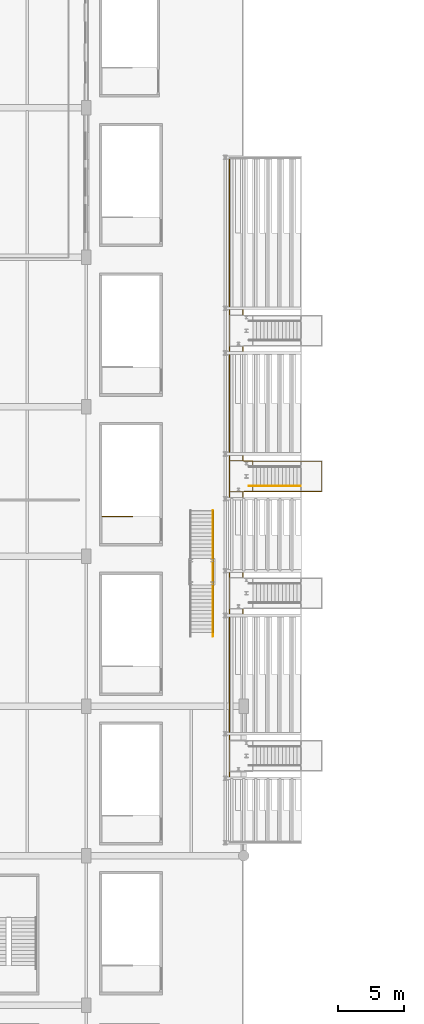
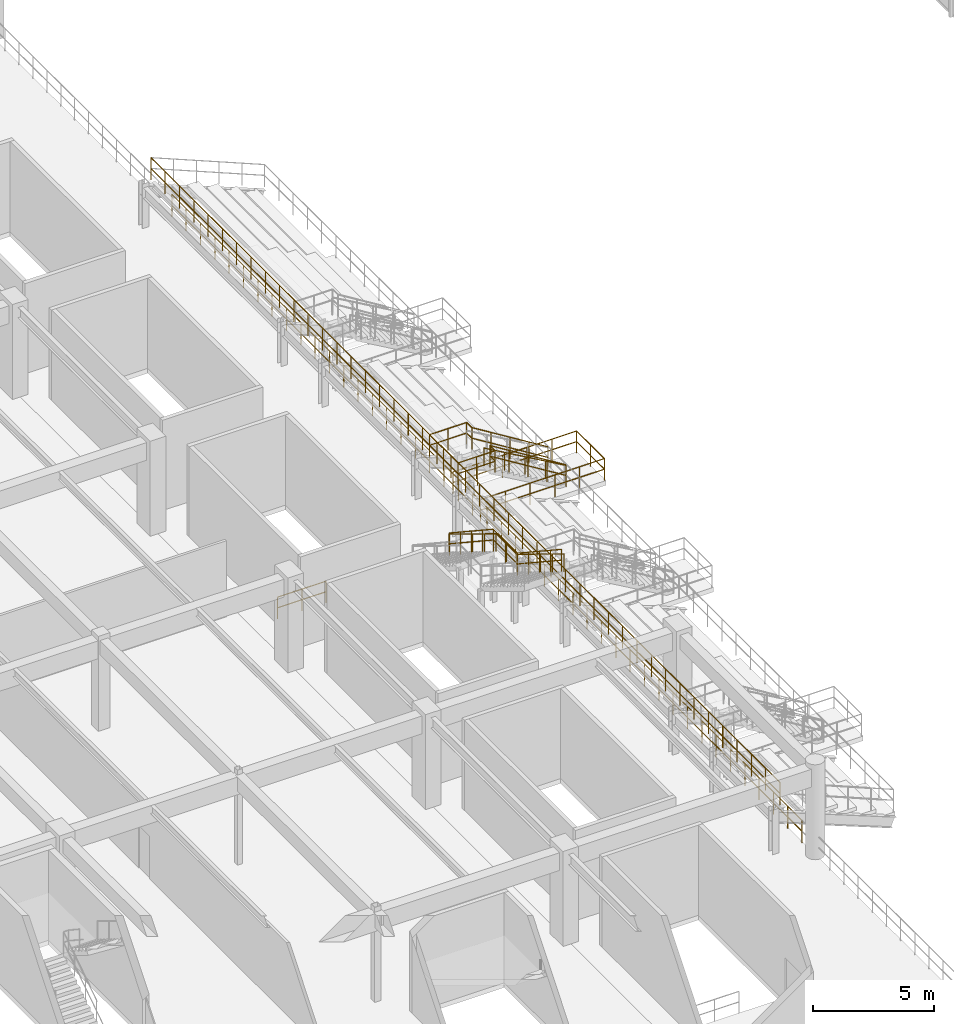
# One storey, part 103 of 106: 8 railings.
"""IFC4 building model written with IfcOpenShell, lengths in metres."""

from ifc_helpers import new_model, si_unit, direction, frame, origin, origin_2d, place, context, subcontext, project, spatial, circle, extrude, material, layer, layer_set, type_object, element, save


model = new_model("IFC4")

# Units and contexts
model_context = context("Model", 3, precision=1e-05, world=origin(), true_north=direction((0.0, 1.0)))
body_context = subcontext(model_context, "Body", "Model", "MODEL_VIEW")
ifc_project = project(units=[si_unit("LENGTHUNIT", "METRE"), si_unit("AREAUNIT", "SQUARE_METRE"), si_unit("VOLUMEUNIT", "CUBIC_METRE"), si_unit("PLANEANGLEUNIT", "RADIAN"), si_unit("MASSUNIT", "GRAM", prefix="KILO"), si_unit("POWERUNIT", "WATT"), si_unit("THERMODYNAMICTEMPERATUREUNIT", "KELVIN")], contexts=[model_context])

# Site, building, storey
site_placement = place(None, origin())
site = spatial("IfcSite", under=ifc_project, at=site_placement, CompositionType="ELEMENT")
building_placement = place(site_placement, origin())
building = spatial("IfcBuilding", under=site, at=building_placement, Name="Kelmbourne Parkland Aquatics Centre", CompositionType="ELEMENT")
storey_placement = place(building_placement, frame((0.0, 0.0, 5.39990234375)))
storey = spatial("IfcBuildingStorey", under=building, at=storey_placement, Name="L01", CompositionType="ELEMENT", Elevation=5.39990234375)

# Railings
ifc_material_1 = material(Name="Grade 316 stainless steel and laminated glass balustrade", Category="glass")
ifc_layer = layer(ifc_material_1, 0.06005859375)
ifc_layer_set = layer_set([ifc_layer], Name="Grade 316 stainless steel and laminated glass balustrade")
railing_type_1 = type_object("IfcRailingType", Name="RL-BL-114", PredefinedType="BALUSTRADE", material=ifc_layer_set)
railing_1_placement = place(storey_placement, frame((137.679931640625, 61.280029296875, 0.0)))
element("IfcRailing", 1, at=railing_1_placement, inside=storey, type_object=railing_type_1, Name="FS02 east balustrade", PredefinedType="BALUSTRADE", context=body_context, shape_type="SweptSolid", body=[
    extrude(circle(Radius=0.02392578125, at=origin_2d()), frame((0.0, 0.0, 1.11572265625), z_axis=(0.0, -0.834856447115, 0.55046772177), x_axis=(1.0, 0.0, 0.0)), (0.0, 0.0, 1.0), 4.360107421875),
    extrude(circle(Radius=0.02392578125, at=origin_2d()), frame((0.0, 0.0, 0.56982421875), z_axis=(0.0, -0.834856447115, 0.55046772177), x_axis=(1.0, 0.0, 0.0)), (0.0, 0.0, 1.0), 4.360107421875),
    extrude(circle(Radius=0.02392578125, at=origin_2d()), frame((0.0, -3.64013671875, 3.51611328125), z_axis=(0.0, -1.0, 0.0), x_axis=(1.0, 0.0, 0.0)), (0.0, 0.0, 1.0), 2.0),
    extrude(circle(Radius=0.02392578125, at=origin_2d()), frame((0.0, -3.64013671875, 2.97021484375), z_axis=(0.0, -1.0, 0.0), x_axis=(1.0, 0.0, 0.0)), (0.0, 0.0, 1.0), 2.0),
    extrude(circle(Radius=0.02392578125, at=origin_2d()), frame((0.0, -5.64013671875, 3.51611328125), z_axis=(0.0, -0.834865213223, 0.550454426587), x_axis=(1.0, 0.0, 0.0)), (0.0, 0.0, 1.0), 4.35986328125),
    extrude(circle(Radius=0.02392578125, at=origin_2d()), frame((0.0, -5.64013671875, 2.97021484375), z_axis=(0.0, -0.834865213223, 0.550454426587), x_axis=(1.0, 0.0, 0.0)), (0.0, 0.0, 1.0), 4.35986328125),
    extrude(circle(Radius=0.02099609375, at=origin_2d()), origin(), (0.0, 0.0, 1.0), 1.091796875),
    extrude(circle(Radius=0.02099609375, at=origin_2d()), frame((0.0, -0.91015625, 0.60009765625)), (0.0, 0.0, 1.0), 1.091796875),
    extrude(circle(Radius=0.02099609375, at=origin_2d()), frame((0.0, -1.820068359375, 1.2001953125)), (0.0, 0.0, 1.0), 1.091796875),
    extrude(circle(Radius=0.02099609375, at=origin_2d()), frame((0.0, -2.72998046875, 1.800048828125)), (0.0, 0.0, 1.0), 1.091796875),
    extrude(circle(Radius=0.02099609375, at=origin_2d()), frame((0.0, -3.64013671875, 2.400146484375)), (0.0, 0.0, 1.0), 1.091796875),
    extrude(circle(Radius=0.02099609375, at=origin_2d()), frame((0.0, -4.64013671875, 2.400146484375)), (0.0, 0.0, 1.0), 1.091796875),
    extrude(circle(Radius=0.02099609375, at=origin_2d()), frame((0.0, -5.64013671875, 2.400146484375)), (0.0, 0.0, 1.0), 1.091796875),
    extrude(circle(Radius=0.02099609375, at=origin_2d()), frame((0.0, -6.550048828125, 3.0)), (0.0, 0.0, 1.0), 1.091796875),
    extrude(circle(Radius=0.02099609375, at=origin_2d()), frame((0.0, -7.4599609375, 3.60009765625)), (0.0, 0.0, 1.0), 1.091796875),
    extrude(circle(Radius=0.02099609375, at=origin_2d()), frame((0.0, -8.3701171875, 4.2001953125)), (0.0, 0.0, 1.0), 1.091796875),
    extrude(circle(Radius=0.02099609375, at=origin_2d()), frame((0.0, -9.280029296875, 4.800048828125)), (0.0, 0.0, 1.0), 1.091796875),
])
railing_2_placement = place(storey_placement, frame((138.919921875, 36.050048828125, 2.25)))
element("IfcRailing", 2, at=railing_2_placement, inside=storey, type_object=railing_type_1, Name="Safety balustrade BAL-BOWL-TOP", PredefinedType="BALUSTRADE", context=body_context, shape_type="SweptSolid", body=[
    extrude(circle(Radius=0.02392578125, at=origin_2d()), frame((0.0, 0.0, 1.11572265625), z_axis=(0.0, 1.0, 0.0), x_axis=(-1.0, 0.0, 0.0)), (0.0, 0.0, 1.0), 52.099853515625),
    extrude(circle(Radius=0.02392578125, at=origin_2d()), frame((0.0, 0.0, 0.56982421875), z_axis=(0.0, 1.0, 0.0), x_axis=(-1.0, 0.0, 0.0)), (0.0, 0.0, 1.0), 52.099853515625),
    extrude(circle(Radius=0.02099609375, at=origin_2d()), origin(), (0.0, 0.0, 1.0), 1.091796875),
    extrude(circle(Radius=0.02099609375, at=origin_2d()), frame((0.0, 1.18408203125, 0.0)), (0.0, 0.0, 1.0), 1.091796875),
    extrude(circle(Radius=0.02099609375, at=origin_2d()), frame((0.0, 2.3681640625, 0.0)), (0.0, 0.0, 1.0), 1.091796875),
    extrude(circle(Radius=0.02099609375, at=origin_2d()), frame((0.0, 3.55224609375, 0.0)), (0.0, 0.0, 1.0), 1.091796875),
    extrude(circle(Radius=0.02099609375, at=origin_2d()), frame((0.0, 4.736328125, 0.0)), (0.0, 0.0, 1.0), 1.091796875),
    extrude(circle(Radius=0.02099609375, at=origin_2d()), frame((0.0, 5.92041015625, 0.0)), (0.0, 0.0, 1.0), 1.091796875),
    extrude(circle(Radius=0.02099609375, at=origin_2d()), frame((0.0, 7.1044921875, 0.0)), (0.0, 0.0, 1.0), 1.091796875),
    extrude(circle(Radius=0.02099609375, at=origin_2d()), frame((0.0, 8.28857421875, 0.0)), (0.0, 0.0, 1.0), 1.091796875),
    extrude(circle(Radius=0.02099609375, at=origin_2d()), frame((0.0, 9.47265625, 0.0)), (0.0, 0.0, 1.0), 1.091796875),
    extrude(circle(Radius=0.02099609375, at=origin_2d()), frame((0.0, 10.65673828125, 0.0)), (0.0, 0.0, 1.0), 1.091796875),
    extrude(circle(Radius=0.02099609375, at=origin_2d()), frame((0.0, 11.8408203125, 0.0)), (0.0, 0.0, 1.0), 1.091796875),
    extrude(circle(Radius=0.02099609375, at=origin_2d()), frame((0.0, 13.02490234375, 0.0)), (0.0, 0.0, 1.0), 1.091796875),
    extrude(circle(Radius=0.02099609375, at=origin_2d()), frame((0.0, 14.208984375, 0.0)), (0.0, 0.0, 1.0), 1.091796875),
    extrude(circle(Radius=0.02099609375, at=origin_2d()), frame((0.0, 15.39306640625, 0.0)), (0.0, 0.0, 1.0), 1.091796875),
    extrude(circle(Radius=0.02099609375, at=origin_2d()), frame((0.0, 16.5771484375, 0.0)), (0.0, 0.0, 1.0), 1.091796875),
    extrude(circle(Radius=0.02099609375, at=origin_2d()), frame((0.0, 17.76123046875, 0.0)), (0.0, 0.0, 1.0), 1.091796875),
    extrude(circle(Radius=0.02099609375, at=origin_2d()), frame((0.0, 18.9453125, 0.0)), (0.0, 0.0, 1.0), 1.091796875),
    extrude(circle(Radius=0.02099609375, at=origin_2d()), frame((0.0, 20.12939453125, 0.0)), (0.0, 0.0, 1.0), 1.091796875),
    extrude(circle(Radius=0.02099609375, at=origin_2d()), frame((0.0, 21.3134765625, 0.0)), (0.0, 0.0, 1.0), 1.091796875),
    extrude(circle(Radius=0.02099609375, at=origin_2d()), frame((0.0, 22.49755859375, 0.0)), (0.0, 0.0, 1.0), 1.091796875),
    extrude(circle(Radius=0.02099609375, at=origin_2d()), frame((0.0, 23.681640625, 0.0)), (0.0, 0.0, 1.0), 1.091796875),
    extrude(circle(Radius=0.02099609375, at=origin_2d()), frame((0.0, 24.86572265625, 0.0)), (0.0, 0.0, 1.0), 1.091796875),
    extrude(circle(Radius=0.02099609375, at=origin_2d()), frame((0.0, 26.0498046875, 0.0)), (0.0, 0.0, 1.0), 1.091796875),
    extrude(circle(Radius=0.02099609375, at=origin_2d()), frame((0.0, 27.234130859375, 0.0)), (0.0, 0.0, 1.0), 1.091796875),
    extrude(circle(Radius=0.02099609375, at=origin_2d()), frame((0.0, 28.418212890625, 0.0)), (0.0, 0.0, 1.0), 1.091796875),
    extrude(circle(Radius=0.02099609375, at=origin_2d()), frame((0.0, 29.602294921875, 0.0)), (0.0, 0.0, 1.0), 1.091796875),
    extrude(circle(Radius=0.02099609375, at=origin_2d()), frame((0.0, 30.786376953125, 0.0)), (0.0, 0.0, 1.0), 1.091796875),
    extrude(circle(Radius=0.02099609375, at=origin_2d()), frame((0.0, 31.970458984375, 0.0)), (0.0, 0.0, 1.0), 1.091796875),
    extrude(circle(Radius=0.02099609375, at=origin_2d()), frame((0.0, 33.154541015625, 0.0)), (0.0, 0.0, 1.0), 1.091796875),
    extrude(circle(Radius=0.02099609375, at=origin_2d()), frame((0.0, 34.338623046875, 0.0)), (0.0, 0.0, 1.0), 1.091796875),
    extrude(circle(Radius=0.02099609375, at=origin_2d()), frame((0.0, 35.522705078125, 0.0)), (0.0, 0.0, 1.0), 1.091796875),
    extrude(circle(Radius=0.02099609375, at=origin_2d()), frame((0.0, 36.706787109375, 0.0)), (0.0, 0.0, 1.0), 1.091796875),
    extrude(circle(Radius=0.02099609375, at=origin_2d()), frame((0.0, 37.890869140625, 0.0)), (0.0, 0.0, 1.0), 1.091796875),
    extrude(circle(Radius=0.02099609375, at=origin_2d()), frame((0.0, 39.074951171875, 0.0)), (0.0, 0.0, 1.0), 1.091796875),
    extrude(circle(Radius=0.02099609375, at=origin_2d()), frame((0.0, 40.259033203125, 0.0)), (0.0, 0.0, 1.0), 1.091796875),
    extrude(circle(Radius=0.02099609375, at=origin_2d()), frame((0.0, 41.443115234375, 0.0)), (0.0, 0.0, 1.0), 1.091796875),
    extrude(circle(Radius=0.02099609375, at=origin_2d()), frame((0.0, 42.627197265625, 0.0)), (0.0, 0.0, 1.0), 1.091796875),
    extrude(circle(Radius=0.02099609375, at=origin_2d()), frame((0.0, 43.811279296875, 0.0)), (0.0, 0.0, 1.0), 1.091796875),
    extrude(circle(Radius=0.02099609375, at=origin_2d()), frame((0.0, 44.995361328125, 0.0)), (0.0, 0.0, 1.0), 1.091796875),
    extrude(circle(Radius=0.02099609375, at=origin_2d()), frame((0.0, 46.179443359375, 0.0)), (0.0, 0.0, 1.0), 1.091796875),
    extrude(circle(Radius=0.02099609375, at=origin_2d()), frame((0.0, 47.363525390625, 0.0)), (0.0, 0.0, 1.0), 1.091796875),
    extrude(circle(Radius=0.02099609375, at=origin_2d()), frame((0.0, 48.547607421875, 0.0)), (0.0, 0.0, 1.0), 1.091796875),
    extrude(circle(Radius=0.02099609375, at=origin_2d()), frame((0.0, 49.731689453125, 0.0)), (0.0, 0.0, 1.0), 1.091796875),
    extrude(circle(Radius=0.02099609375, at=origin_2d()), frame((0.0, 50.915771484375, 0.0)), (0.0, 0.0, 1.0), 1.091796875),
    extrude(circle(Radius=0.02099609375, at=origin_2d()), frame((0.0, 52.099853515625, 0.0)), (0.0, 0.0, 1.0), 1.091796875),
])
railing_3_placement = place(storey_placement, frame((139.949951171875, 36.0, 0.0)))
element("IfcRailing", 3, at=railing_3_placement, inside=storey, type_object=railing_type_1, Name="Safety balustrade BAL-V1-L01-MID", PredefinedType="BALUSTRADE", context=body_context, shape_type="SweptSolid", body=[
    extrude(circle(Radius=0.02392578125, at=origin_2d()), frame((0.0, 0.0, 1.11572265625), z_axis=(0.0, 1.0, 0.0), x_axis=(-1.0, 0.0, 0.0)), (0.0, 0.0, 1.0), 52.199951171875),
    extrude(circle(Radius=0.02392578125, at=origin_2d()), frame((0.0, 0.0, 0.56982421875), z_axis=(0.0, 1.0, 0.0), x_axis=(-1.0, 0.0, 0.0)), (0.0, 0.0, 1.0), 52.199951171875),
    extrude(circle(Radius=0.02099609375, at=origin_2d()), origin(), (0.0, 0.0, 1.0), 1.091796875),
    extrude(circle(Radius=0.02099609375, at=origin_2d()), frame((0.0, 1.186279296875, 0.0)), (0.0, 0.0, 1.0), 1.091796875),
    extrude(circle(Radius=0.02099609375, at=origin_2d()), frame((0.0, 2.372802734375, 0.0)), (0.0, 0.0, 1.0), 1.091796875),
    extrude(circle(Radius=0.02099609375, at=origin_2d()), frame((0.0, 3.55908203125, 0.0)), (0.0, 0.0, 1.0), 1.091796875),
    extrude(circle(Radius=0.02099609375, at=origin_2d()), frame((0.0, 4.745361328125, 0.0)), (0.0, 0.0, 1.0), 1.091796875),
    extrude(circle(Radius=0.02099609375, at=origin_2d()), frame((0.0, 5.931884765625, 0.0)), (0.0, 0.0, 1.0), 1.091796875),
    extrude(circle(Radius=0.02099609375, at=origin_2d()), frame((0.0, 7.1181640625, 0.0)), (0.0, 0.0, 1.0), 1.091796875),
    extrude(circle(Radius=0.02099609375, at=origin_2d()), frame((0.0, 8.304443359375, 0.0)), (0.0, 0.0, 1.0), 1.091796875),
    extrude(circle(Radius=0.02099609375, at=origin_2d()), frame((0.0, 9.490966796875, 0.0)), (0.0, 0.0, 1.0), 1.091796875),
    extrude(circle(Radius=0.02099609375, at=origin_2d()), frame((0.0, 10.67724609375, 0.0)), (0.0, 0.0, 1.0), 1.091796875),
    extrude(circle(Radius=0.02099609375, at=origin_2d()), frame((0.0, 11.863525390625, 0.0)), (0.0, 0.0, 1.0), 1.091796875),
    extrude(circle(Radius=0.02099609375, at=origin_2d()), frame((0.0, 13.050048828125, 0.0)), (0.0, 0.0, 1.0), 1.091796875),
    extrude(circle(Radius=0.02099609375, at=origin_2d()), frame((0.0, 14.236328125, 0.0)), (0.0, 0.0, 1.0), 1.091796875),
    extrude(circle(Radius=0.02099609375, at=origin_2d()), frame((0.0, 15.422607421875, 0.0)), (0.0, 0.0, 1.0), 1.091796875),
    extrude(circle(Radius=0.02099609375, at=origin_2d()), frame((0.0, 16.609130859375, 0.0)), (0.0, 0.0, 1.0), 1.091796875),
    extrude(circle(Radius=0.02099609375, at=origin_2d()), frame((0.0, 17.79541015625, 0.0)), (0.0, 0.0, 1.0), 1.091796875),
    extrude(circle(Radius=0.02099609375, at=origin_2d()), frame((0.0, 18.981689453125, 0.0)), (0.0, 0.0, 1.0), 1.091796875),
    extrude(circle(Radius=0.02099609375, at=origin_2d()), frame((0.0, 20.168212890625, 0.0)), (0.0, 0.0, 1.0), 1.091796875),
    extrude(circle(Radius=0.02099609375, at=origin_2d()), frame((0.0, 21.3544921875, 0.0)), (0.0, 0.0, 1.0), 1.091796875),
    extrude(circle(Radius=0.02099609375, at=origin_2d()), frame((0.0, 22.540771484375, 0.0)), (0.0, 0.0, 1.0), 1.091796875),
    extrude(circle(Radius=0.02099609375, at=origin_2d()), frame((0.0, 23.727294921875, 0.0)), (0.0, 0.0, 1.0), 1.091796875),
    extrude(circle(Radius=0.02099609375, at=origin_2d()), frame((0.0, 24.91357421875, 0.0)), (0.0, 0.0, 1.0), 1.091796875),
    extrude(circle(Radius=0.02099609375, at=origin_2d()), frame((0.0, 26.10009765625, 0.0)), (0.0, 0.0, 1.0), 1.091796875),
    extrude(circle(Radius=0.02099609375, at=origin_2d()), frame((0.0, 27.286376953125, 0.0)), (0.0, 0.0, 1.0), 1.091796875),
    extrude(circle(Radius=0.02099609375, at=origin_2d()), frame((0.0, 28.47265625, 0.0)), (0.0, 0.0, 1.0), 1.091796875),
    extrude(circle(Radius=0.02099609375, at=origin_2d()), frame((0.0, 29.6591796875, 0.0)), (0.0, 0.0, 1.0), 1.091796875),
    extrude(circle(Radius=0.02099609375, at=origin_2d()), frame((0.0, 30.845458984375, 0.0)), (0.0, 0.0, 1.0), 1.091796875),
    extrude(circle(Radius=0.02099609375, at=origin_2d()), frame((0.0, 32.03173828125, 0.0)), (0.0, 0.0, 1.0), 1.091796875),
    extrude(circle(Radius=0.02099609375, at=origin_2d()), frame((0.0, 33.21826171875, 0.0)), (0.0, 0.0, 1.0), 1.091796875),
    extrude(circle(Radius=0.02099609375, at=origin_2d()), frame((0.0, 34.404541015625, 0.0)), (0.0, 0.0, 1.0), 1.091796875),
    extrude(circle(Radius=0.02099609375, at=origin_2d()), frame((0.0, 35.5908203125, 0.0)), (0.0, 0.0, 1.0), 1.091796875),
    extrude(circle(Radius=0.02099609375, at=origin_2d()), frame((0.0, 36.77734375, 0.0)), (0.0, 0.0, 1.0), 1.091796875),
    extrude(circle(Radius=0.02099609375, at=origin_2d()), frame((0.0, 37.963623046875, 0.0)), (0.0, 0.0, 1.0), 1.091796875),
    extrude(circle(Radius=0.02099609375, at=origin_2d()), frame((0.0, 39.14990234375, 0.0)), (0.0, 0.0, 1.0), 1.091796875),
    extrude(circle(Radius=0.02099609375, at=origin_2d()), frame((0.0, 40.33642578125, 0.0)), (0.0, 0.0, 1.0), 1.091796875),
    extrude(circle(Radius=0.02099609375, at=origin_2d()), frame((0.0, 41.522705078125, 0.0)), (0.0, 0.0, 1.0), 1.091796875),
    extrude(circle(Radius=0.02099609375, at=origin_2d()), frame((0.0, 42.708984375, 0.0)), (0.0, 0.0, 1.0), 1.091796875),
    extrude(circle(Radius=0.02099609375, at=origin_2d()), frame((0.0, 43.8955078125, 0.0)), (0.0, 0.0, 1.0), 1.091796875),
    extrude(circle(Radius=0.02099609375, at=origin_2d()), frame((0.0, 45.081787109375, 0.0)), (0.0, 0.0, 1.0), 1.091796875),
    extrude(circle(Radius=0.02099609375, at=origin_2d()), frame((0.0, 46.26806640625, 0.0)), (0.0, 0.0, 1.0), 1.091796875),
    extrude(circle(Radius=0.02099609375, at=origin_2d()), frame((0.0, 47.45458984375, 0.0)), (0.0, 0.0, 1.0), 1.091796875),
    extrude(circle(Radius=0.02099609375, at=origin_2d()), frame((0.0, 48.640869140625, 0.0)), (0.0, 0.0, 1.0), 1.091796875),
    extrude(circle(Radius=0.02099609375, at=origin_2d()), frame((0.0, 49.8271484375, 0.0)), (0.0, 0.0, 1.0), 1.091796875),
    extrude(circle(Radius=0.02099609375, at=origin_2d()), frame((0.0, 51.013671875, 0.0)), (0.0, 0.0, 1.0), 1.091796875),
    extrude(circle(Radius=0.02099609375, at=origin_2d()), frame((0.0, 52.199951171875, 0.0)), (0.0, 0.0, 1.0), 1.091796875),
])
ifc_material_2 = material(Name="Grade 316 marine stainless steel", Category="steel")
railing_type_2 = type_object("IfcRailingType", Name="RL-GD-112", PredefinedType="GUARDRAIL", material=ifc_material_2)
railing_4_placement = place(storey_placement, frame((129.219970703125, 60.85009765625, 0.0)))
element("IfcRailing", 4, at=railing_4_placement, inside=storey, type_object=railing_type_2, Name="Spectator Bowl Exit Stair Bay 6 top well guardrail", PredefinedType="GUARDRAIL", context=body_context, shape_type="SweptSolid", body=[
    extrude(circle(Radius=0.02392578125, at=origin_2d()), frame((0.0, 0.0, 1.09619140625), z_axis=(1.0, 0.0, 0.0), x_axis=(0.0, 1.0, 0.0)), (0.0, 0.0, 1.0), 2.31005859375),
    extrude(circle(Radius=0.02392578125, at=origin_2d()), frame((0.0, 0.0, 0.56005859375), z_axis=(1.0, 0.0, 0.0), x_axis=(0.0, 1.0, 0.0)), (0.0, 0.0, 1.0), 2.31005859375),
    extrude(circle(Radius=0.02099609375, at=origin_2d()), origin(), (0.0, 0.0, 1.0), 1.072021484375),
    extrude(circle(Radius=0.02099609375, at=origin_2d()), frame((1.155029296875, 0.0, 0.0)), (0.0, 0.0, 1.0), 1.072021484375),
    extrude(circle(Radius=0.02099609375, at=origin_2d()), frame((2.31005859375, 0.0, 0.0)), (0.0, 0.0, 1.0), 1.072021484375),
])
railing_5_placement = place(storey_placement, frame((140.02001953125, 62.75, 0.0)))
element("IfcRailing", 5, at=railing_5_placement, inside=storey, type_object=railing_type_2, Name="VM03 lower landing guardrail", PredefinedType="GUARDRAIL", context=body_context, shape_type="SweptSolid", body=[
    extrude(circle(Radius=0.02392578125, at=origin_2d()), frame((0.0, 0.0, 1.09619140625), z_axis=(1.0, 0.0, 0.0), x_axis=(0.0, 1.0, 0.0)), (0.0, 0.0, 1.0), 5.919921875),
    extrude(circle(Radius=0.02392578125, at=origin_2d()), frame((0.0, 0.0, 0.56005859375), z_axis=(1.0, 0.0, 0.0), x_axis=(0.0, 1.0, 0.0)), (0.0, 0.0, 1.0), 5.919921875),
    extrude(circle(Radius=0.02392578125, at=origin_2d()), frame((5.919921875, 0.0, 1.09619140625), z_axis=(0.0, 1.0, 0.0), x_axis=(-1.0, 0.0, 0.0)), (0.0, 0.0, 1.0), 2.300048828125),
    extrude(circle(Radius=0.02392578125, at=origin_2d()), frame((5.919921875, 0.0, 0.56005859375), z_axis=(0.0, 1.0, 0.0), x_axis=(-1.0, 0.0, 0.0)), (0.0, 0.0, 1.0), 2.300048828125),
    extrude(circle(Radius=0.02392578125, at=origin_2d()), frame((5.919921875, 2.300048828125, 1.09619140625), z_axis=(-1.0, 0.0, 0.0), x_axis=(0.0, -1.0, 0.0)), (0.0, 0.0, 1.0), 5.919921875),
    extrude(circle(Radius=0.02392578125, at=origin_2d()), frame((5.919921875, 2.300048828125, 0.56005859375), z_axis=(-1.0, 0.0, 0.0), x_axis=(0.0, -1.0, 0.0)), (0.0, 0.0, 1.0), 5.919921875),
    extrude(circle(Radius=0.02099609375, at=origin_2d()), origin(), (0.0, 0.0, 1.0), 1.072021484375),
    extrude(circle(Radius=0.02099609375, at=origin_2d()), frame((1.18408203125, 0.0, 0.0)), (0.0, 0.0, 1.0), 1.072021484375),
    extrude(circle(Radius=0.02099609375, at=origin_2d()), frame((2.367919921875, 0.0, 0.0)), (0.0, 0.0, 1.0), 1.072021484375),
    extrude(circle(Radius=0.02099609375, at=origin_2d()), frame((3.552001953125, 0.0, 0.0)), (0.0, 0.0, 1.0), 1.072021484375),
    extrude(circle(Radius=0.02099609375, at=origin_2d()), frame((4.73583984375, 0.0, 0.0)), (0.0, 0.0, 1.0), 1.072021484375),
    extrude(circle(Radius=0.02099609375, at=origin_2d()), frame((5.919921875, 0.0, 0.0)), (0.0, 0.0, 1.0), 1.072021484375),
    extrude(circle(Radius=0.02099609375, at=origin_2d()), frame((5.919921875, 1.14990234375, 0.0)), (0.0, 0.0, 1.0), 1.072021484375),
    extrude(circle(Radius=0.02099609375, at=origin_2d()), frame((5.919921875, 2.300048828125, 0.0)), (0.0, 0.0, 1.0), 1.072021484375),
    extrude(circle(Radius=0.02099609375, at=origin_2d()), frame((4.73583984375, 2.300048828125, 0.0)), (0.0, 0.0, 1.0), 1.072021484375),
    extrude(circle(Radius=0.02099609375, at=origin_2d()), frame((3.552001953125, 2.300048828125, 0.0)), (0.0, 0.0, 1.0), 1.072021484375),
    extrude(circle(Radius=0.02099609375, at=origin_2d()), frame((2.367919921875, 2.300048828125, 0.0)), (0.0, 0.0, 1.0), 1.072021484375),
    extrude(circle(Radius=0.02099609375, at=origin_2d()), frame((1.18408203125, 2.300048828125, 0.0)), (0.0, 0.0, 1.0), 1.072021484375),
    extrude(circle(Radius=0.02099609375, at=origin_2d()), frame((0.0, 2.300048828125, 0.0)), (0.0, 0.0, 1.0), 1.072021484375),
])
railing_6_placement = place(storey_placement, frame((144.340087890625, 63.14990234375, 0.0)))
element("IfcRailing", 6, at=railing_6_placement, inside=storey, type_object=railing_type_2, Name="VM03 upper flight and landing guardrail", PredefinedType="GUARDRAIL", context=body_context, shape_type="SweptSolid", body=[
    extrude(circle(Radius=0.02392578125, at=origin_2d()), frame((0.0, 0.0, 1.09619140625), z_axis=(-0.850622404505, 0.0, 0.525777067734), x_axis=(0.0, -1.0, 0.0)), (0.0, 0.0, 1.0), 4.279296875),
    extrude(circle(Radius=0.02392578125, at=origin_2d()), frame((0.0, 0.0, 0.56005859375), z_axis=(-0.850622404505, 0.0, 0.525777067734), x_axis=(0.0, -1.0, 0.0)), (0.0, 0.0, 1.0), 4.279296875),
    extrude(circle(Radius=0.02392578125, at=origin_2d()), frame((-3.64013671875, 0.0, 3.34619140625), z_axis=(0.0, -1.0, 0.0), x_axis=(1.0, 0.0, 0.0)), (0.0, 0.0, 1.0), 0.429931640625),
    extrude(circle(Radius=0.02392578125, at=origin_2d()), frame((-3.64013671875, 0.0, 2.81005859375), z_axis=(0.0, -1.0, 0.0), x_axis=(1.0, 0.0, 0.0)), (0.0, 0.0, 1.0), 0.429931640625),
    extrude(circle(Radius=0.02392578125, at=origin_2d()), frame((-3.64013671875, -0.429931640625, 3.34619140625), z_axis=(-1.0, 0.0, 0.0), x_axis=(0.0, -1.0, 0.0)), (0.0, 0.0, 1.0), 1.780029296875),
    extrude(circle(Radius=0.02392578125, at=origin_2d()), frame((-3.64013671875, -0.429931640625, 2.81005859375), z_axis=(-1.0, 0.0, 0.0), x_axis=(0.0, -1.0, 0.0)), (0.0, 0.0, 1.0), 1.780029296875),
    extrude(circle(Radius=0.02392578125, at=origin_2d()), frame((-5.420166015625, -0.429931640625, 3.34619140625), z_axis=(0.0, 1.0, 0.0), x_axis=(-1.0, 0.0, 0.0)), (0.0, 0.0, 1.0), 2.360107421875),
    extrude(circle(Radius=0.02392578125, at=origin_2d()), frame((-5.420166015625, -0.429931640625, 2.81005859375), z_axis=(0.0, 1.0, 0.0), x_axis=(-1.0, 0.0, 0.0)), (0.0, 0.0, 1.0), 2.360107421875),
    extrude(circle(Radius=0.02392578125, at=origin_2d()), frame((-5.420166015625, 1.93017578125, 3.34619140625), z_axis=(1.0, 0.0, 0.0), x_axis=(0.0, 1.0, 0.0)), (0.0, 0.0, 1.0), 1.780029296875),
    extrude(circle(Radius=0.02392578125, at=origin_2d()), frame((-5.420166015625, 1.93017578125, 2.81005859375), z_axis=(1.0, 0.0, 0.0), x_axis=(0.0, 1.0, 0.0)), (0.0, 0.0, 1.0), 1.780029296875),
    extrude(circle(Radius=0.02392578125, at=origin_2d()), frame((-3.64013671875, 1.93017578125, 3.34619140625), z_axis=(0.0, -1.0, 0.0), x_axis=(1.0, 0.0, 0.0)), (0.0, 0.0, 1.0), 0.43017578125),
    extrude(circle(Radius=0.02392578125, at=origin_2d()), frame((-3.64013671875, 1.93017578125, 2.81005859375), z_axis=(0.0, -1.0, 0.0), x_axis=(1.0, 0.0, 0.0)), (0.0, 0.0, 1.0), 0.43017578125),
    extrude(circle(Radius=0.02392578125, at=origin_2d()), frame((-3.64013671875, 1.5, 3.34619140625), z_axis=(0.850622404505, 0.0, -0.525777067734), x_axis=(0.0, 1.0, 0.0)), (0.0, 0.0, 1.0), 4.279296875),
    extrude(circle(Radius=0.02392578125, at=origin_2d()), frame((-3.64013671875, 1.5, 2.81005859375), z_axis=(0.850622404505, 0.0, -0.525777067734), x_axis=(0.0, 1.0, 0.0)), (0.0, 0.0, 1.0), 4.279296875),
    extrude(circle(Radius=0.02099609375, at=origin_2d()), origin(), (0.0, 0.0, 1.0), 1.072021484375),
    extrude(circle(Radius=0.02099609375, at=origin_2d()), frame((-0.91015625, 0.0, 0.5625)), (0.0, 0.0, 1.0), 1.072021484375),
    extrude(circle(Radius=0.02099609375, at=origin_2d()), frame((-1.820068359375, 0.0, 1.125)), (0.0, 0.0, 1.0), 1.072021484375),
    extrude(circle(Radius=0.02099609375, at=origin_2d()), frame((-2.72998046875, 0.0, 1.6875)), (0.0, 0.0, 1.0), 1.072021484375),
    extrude(circle(Radius=0.02099609375, at=origin_2d()), frame((-3.64013671875, 0.0, 2.25)), (0.0, 0.0, 1.0), 1.072021484375),
    extrude(circle(Radius=0.02099609375, at=origin_2d()), frame((-3.64013671875, -0.429931640625, 2.25)), (0.0, 0.0, 1.0), 1.072021484375),
    extrude(circle(Radius=0.02099609375, at=origin_2d()), frame((-4.5302734375, -0.429931640625, 2.25)), (0.0, 0.0, 1.0), 1.072021484375),
    extrude(circle(Radius=0.02099609375, at=origin_2d()), frame((-5.420166015625, -0.429931640625, 2.25)), (0.0, 0.0, 1.0), 1.072021484375),
    extrude(circle(Radius=0.02099609375, at=origin_2d()), frame((-5.420166015625, 0.75, 2.25)), (0.0, 0.0, 1.0), 1.072021484375),
    extrude(circle(Radius=0.02099609375, at=origin_2d()), frame((-5.420166015625, 1.93017578125, 2.25)), (0.0, 0.0, 1.0), 1.072021484375),
    extrude(circle(Radius=0.02099609375, at=origin_2d()), frame((-4.5302734375, 1.93017578125, 2.25)), (0.0, 0.0, 1.0), 1.072021484375),
    extrude(circle(Radius=0.02099609375, at=origin_2d()), frame((-3.64013671875, 1.93017578125, 2.25)), (0.0, 0.0, 1.0), 1.072021484375),
    extrude(circle(Radius=0.02099609375, at=origin_2d()), frame((-3.64013671875, 1.5, 2.25)), (0.0, 0.0, 1.0), 1.072021484375),
    extrude(circle(Radius=0.02099609375, at=origin_2d()), frame((-2.72998046875, 1.5, 1.6875)), (0.0, 0.0, 1.0), 1.072021484375),
    extrude(circle(Radius=0.02099609375, at=origin_2d()), frame((-1.820068359375, 1.5, 1.125)), (0.0, 0.0, 1.0), 1.072021484375),
    extrude(circle(Radius=0.02099609375, at=origin_2d()), frame((-0.91015625, 1.5, 0.5625)), (0.0, 0.0, 1.0), 1.072021484375),
    extrude(circle(Radius=0.02099609375, at=origin_2d()), frame((0.0, 1.5, 0.0)), (0.0, 0.0, 1.0), 1.072021484375),
])
railing_type_3 = type_object("IfcRailingType", Name="RL-HR-92", PredefinedType="HANDRAIL", material=ifc_material_2)
railing_7_placement = place(storey_placement, frame((137.64990234375, 61.280029296875, 0.17138671875)))
element("IfcRailing", 7, at=railing_7_placement, inside=storey, type_object=railing_type_3, Name="FS02 east handrail", PredefinedType="HANDRAIL", context=body_context, shape_type="SweptSolid", body=[
    extrude(circle(Radius=0.02392578125, at=origin_2d()), frame((0.0, 0.0, 0.89599609375), z_axis=(0.0, -0.852832477147, 0.522184609045), x_axis=(1.0, 0.0, 0.0)), (0.0, 0.0, 1.0), 4.596435546875),
    extrude(circle(Radius=0.02392578125, at=origin_2d()), frame((0.0, -3.919921875, 3.2958984375), z_axis=(0.0, -1.0, 0.0), x_axis=(1.0, 0.0, 0.0)), (0.0, 0.0, 1.0), 1.72021484375),
    extrude(circle(Radius=0.02392578125, at=origin_2d()), frame((0.0, -5.64013671875, 3.2958984375), z_axis=(0.0, -0.852856131449, 0.522145974847), x_axis=(1.0, 0.0, 0.0)), (0.0, 0.0, 1.0), 4.59619140625),
    extrude(circle(Radius=0.02099609375, at=origin_2d()), origin(), (0.0, 0.0, 1.0), 0.871826171875),
    extrude(circle(Radius=0.02099609375, at=origin_2d()), frame((0.0, -0.97998046875, 0.60009765625)), (0.0, 0.0, 1.0), 0.871826171875),
    extrude(circle(Radius=0.02099609375, at=origin_2d()), frame((0.0, -1.9599609375, 1.2001953125)), (0.0, 0.0, 1.0), 0.871826171875),
    extrude(circle(Radius=0.02099609375, at=origin_2d()), frame((0.0, -2.93994140625, 1.800048828125)), (0.0, 0.0, 1.0), 0.871826171875),
    extrude(circle(Radius=0.02099609375, at=origin_2d()), frame((0.0, -3.919921875, 2.400146484375)), (0.0, 0.0, 1.0), 0.871826171875),
    extrude(circle(Radius=0.02099609375, at=origin_2d()), frame((0.0, -4.780029296875, 2.400146484375)), (0.0, 0.0, 1.0), 0.871826171875),
    extrude(circle(Radius=0.02099609375, at=origin_2d()), frame((0.0, -5.64013671875, 2.400146484375)), (0.0, 0.0, 1.0), 0.871826171875),
    extrude(circle(Radius=0.02099609375, at=origin_2d()), frame((0.0, -6.6201171875, 3.0)), (0.0, 0.0, 1.0), 0.871826171875),
    extrude(circle(Radius=0.02099609375, at=origin_2d()), frame((0.0, -7.60009765625, 3.60009765625)), (0.0, 0.0, 1.0), 0.871826171875),
    extrude(circle(Radius=0.02099609375, at=origin_2d()), frame((0.0, -8.580078125, 4.2001953125)), (0.0, 0.0, 1.0), 0.871826171875),
    extrude(circle(Radius=0.02099609375, at=origin_2d()), frame((0.0, -9.56005859375, 4.800048828125)), (0.0, 0.0, 1.0), 0.871826171875),
])
railing_8_placement = place(storey_placement, frame((144.340087890625, 63.169921875, 0.160888671875)))
element("IfcRailing", 8, at=railing_8_placement, inside=storey, type_object=railing_type_3, Name="VM03 south handrail", PredefinedType="HANDRAIL", context=body_context, shape_type="SweptSolid", body=[
    extrude(circle(Radius=0.02392578125, at=origin_2d()), frame((0.0, 0.0, 0.89599609375), z_axis=(-0.867297577681, 0.0, 0.497790027771), x_axis=(0.0, -1.0, 0.0)), (0.0, 0.0, 1.0), 4.52001953125),
    extrude(circle(Radius=0.02099609375, at=origin_2d()), origin(), (0.0, 0.0, 1.0), 0.871826171875),
    extrude(circle(Radius=0.02099609375, at=origin_2d()), frame((-0.97998046875, 0.0, 0.5625)), (0.0, 0.0, 1.0), 0.871826171875),
    extrude(circle(Radius=0.02099609375, at=origin_2d()), frame((-1.9599609375, 0.0, 1.125)), (0.0, 0.0, 1.0), 0.871826171875),
    extrude(circle(Radius=0.02099609375, at=origin_2d()), frame((-2.940185546875, 0.0, 1.6875)), (0.0, 0.0, 1.0), 0.871826171875),
    extrude(circle(Radius=0.02099609375, at=origin_2d()), frame((-3.920166015625, 0.0, 2.25)), (0.0, 0.0, 1.0), 0.871826171875),
])

save(model, "model.ifc")
